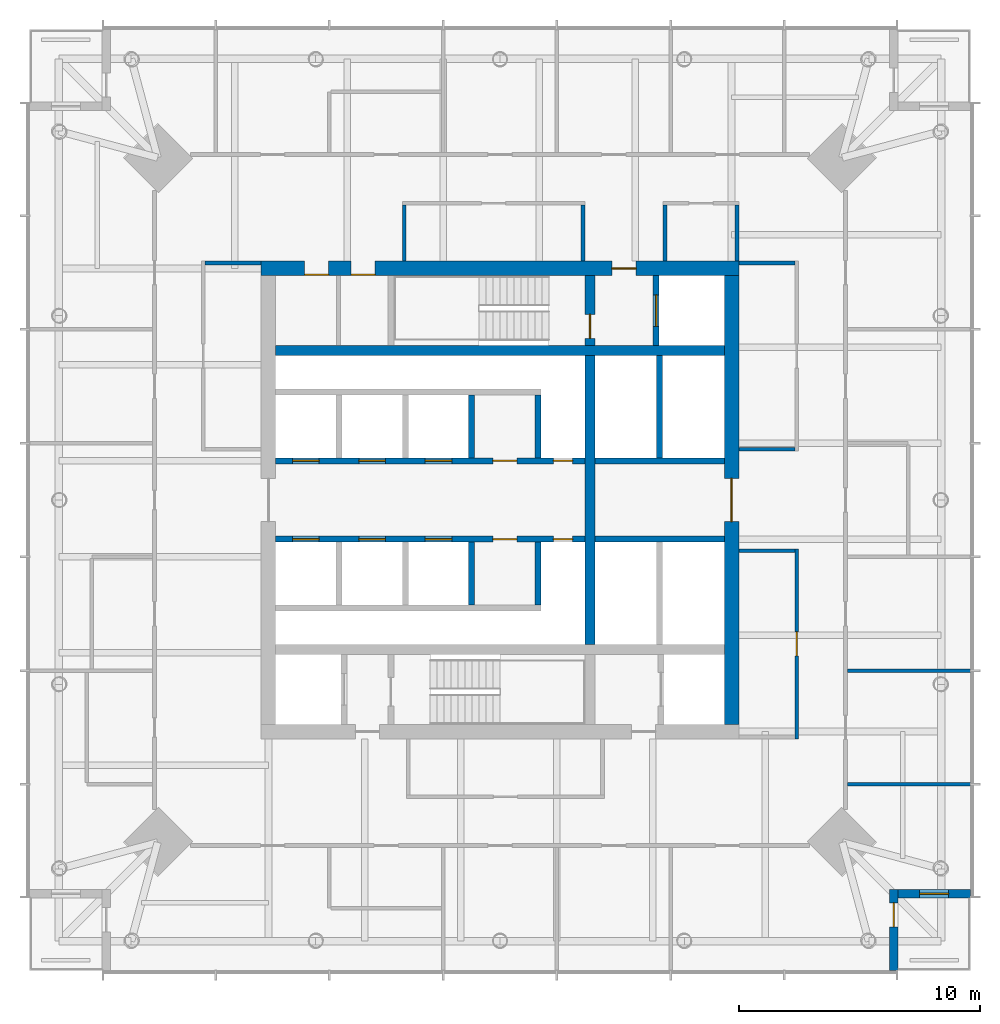
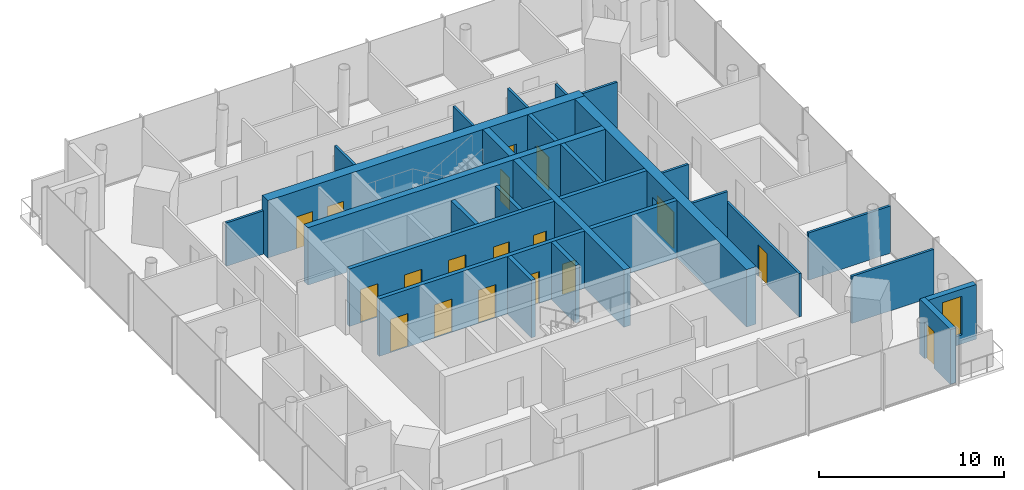
# One storey, part 5 of 7: 28 walls, 18 doors, 1 window, 19 openings.
"""IFC4 building model written with IfcOpenShell, lengths in metres."""

from ifc_helpers import new_model, si_unit, direction, frame, frame_2d, origin, place, context, subcontext, project, spatial, rectangle, extrude, material, layer, layer_set, type_object, element, fill, save


model = new_model("IFC4")

# Units and contexts
model_context = context("Model", 3, precision=1e-05, world=origin(), true_north=direction((0.0, 1.0)))
body_context = subcontext(model_context, "Body", "Model", "MODEL_VIEW")
ifc_project = project(units=[si_unit("LENGTHUNIT", "METRE"), si_unit("AREAUNIT", "SQUARE_METRE"), si_unit("VOLUMEUNIT", "CUBIC_METRE"), si_unit("PLANEANGLEUNIT", "RADIAN"), si_unit("MASSUNIT", "GRAM", prefix="KILO")], contexts=[model_context])

# Site, building, storey
site_placement = place(None, origin())
site = spatial("IfcSite", under=ifc_project, at=site_placement, CompositionType="ELEMENT")
building_placement = place(site_placement, origin())
building = spatial("IfcBuilding", under=site, at=building_placement, Name="Ostroluk Exchange", CompositionType="ELEMENT")
storey_placement = place(building_placement, frame((0.0, 0.0, 199.60009765625)))
storey = spatial("IfcBuildingStorey", under=building, at=storey_placement, Name="L51", CompositionType="ELEMENT", Elevation=199.60009765625)

# Walls
ifc_material_1 = material(Name="Concrete C50/60", Category="concrete")
ifc_layer_1 = layer(ifc_material_1, 0.39990234375)
ifc_layer_set_1 = layer_set([ifc_layer_1], Name="Core cross wall 400 C50/60")
wall_type_1 = type_object("IfcWallType", Name="Core cross wall 400 C50/60", PredefinedType="SHEAR", material=ifc_layer_set_1)
wall_1_placement = place(storey_placement, frame((35.699951171875, 52.199951171875, 0.0), z_axis=(0.0, 0.0, 1.0), x_axis=(1.0, 0.0, 0.0)))
element("IfcWall", 1, at=wall_1_placement, inside=storey, type_object=wall_type_1, Name="T1 core wall XN", PredefinedType="SHEAR", context=body_context, shape_type="SweptSolid", body=[
    extrude(rectangle(XDim=18.60009765625, YDim=0.39990234375, at=frame_2d((9.300048828125, 0.0))), origin(), (0.0, 0.0, 1.0), 3.7998046875),
])
wall_2_placement = place(storey_placement, frame((48.72998046875, 40.0, 0.0), z_axis=(0.0, 0.0, 1.0), x_axis=(0.0, 1.0, 0.0)))
element("IfcWall", 2, at=wall_2_placement, inside=storey, type_object=wall_type_1, Name="T1 core wall YE2", PredefinedType="SHEAR", context=body_context, shape_type="SweptSolid", body=[
    extrude(rectangle(XDim=12.0, YDim=0.39990234375, at=frame_2d((6.0, 0.0))), origin(), (0.0, 0.0, 1.0), 3.7998046875),
])

# Wall, opening, door
wall_3_placement = place(storey_placement, frame((48.72998046875, 52.39990234375, 0.0), z_axis=(0.0, 0.0, 1.0), x_axis=(0.0, 1.0, 0.0)))
wall_3 = element("IfcWall", 3, at=wall_3_placement, inside=storey, type_object=wall_type_1, Name="T1 core wall YE3", PredefinedType="SHEAR", context=body_context, shape_type="SweptSolid", body=[
    extrude(rectangle(XDim=2.900146484375, YDim=0.39990234375, at=frame_2d((1.4501953125, 0.0))), origin(), (0.0, 0.0, 1.0), 3.7998046875),
])
opening_1_placement = place(wall_3_placement, frame((0.300048828125, 0.0, 0.0)))
opening_1 = element("IfcOpeningElement", 4, at=opening_1_placement, cuts=wall_3, Name="Opening FD60", PredefinedType="OPENING", context=body_context, shape_type="SweptSolid", body=[
    extrude(rectangle(XDim=1.0, YDim=2.10009765625, at=frame_2d((0.5, 1.050048828125))), frame((0.0, 0.2099609375, 0.0), z_axis=(0.0, -1.0, 0.0), x_axis=(1.0, 0.0, 0.0)), (0.0, 0.0, 1.0), 0.419921875),
])
ifc_material_2 = material(Name="Steel", Category="steel")
door_type_1 = type_object("IfcDoorType", Name="Fire door EI 60 1000 x 2100", OperationType="SINGLE_SWING_LEFT", PredefinedType="DOOR", material=ifc_material_2)
door_1_placement = place(opening_1_placement, origin())
door_1 = element("IfcDoor", 5, at=door_1_placement, inside=storey, type_object=door_type_1, Name="Stair T1-S2 door", OperationType="SINGLE_SWING_LEFT", OverallHeight=2.10009765625, OverallWidth=1.0, PredefinedType="DOOR", context=body_context, shape_type="SweptSolid", body=[
    extrude(rectangle(XDim=1.0, YDim=2.10009765625, at=frame_2d((0.5, 1.050048828125))), frame((0.0, 0.02490234375, 0.0), z_axis=(0.0, -1.0, 0.0), x_axis=(1.0, 0.0, 0.0)), (0.0, 0.0, 1.0), 0.050048828125),
])
fill(opening_1, door_1)

ifc_material_3 = material(Name="Concrete C40/50", Category="concrete")
ifc_layer_2 = layer(ifc_material_3, 0.25)
ifc_layer_set_2 = layer_set([ifc_layer_2], Name="Core shaft wall 250")
wall_type_2 = type_object("IfcWallType", Name="Core shaft wall 250", PredefinedType="SHEAR", material=ifc_layer_set_2)
wall_4_placement = place(storey_placement, frame((51.47509765625, 52.39990234375, 0.0), z_axis=(0.0, 0.0, 1.0), x_axis=(0.0, 1.0, 0.0)))
wall_4 = element("IfcWall", 6, at=wall_4_placement, inside=storey, type_object=wall_type_2, Name="Firefighting lift shaft wall", PredefinedType="SHEAR", context=body_context, shape_type="SweptSolid", body=[
    extrude(rectangle(XDim=2.900146484375, YDim=0.25, at=frame_2d((1.4501953125, 0.0))), origin(), (0.0, 0.0, 1.0), 3.7998046875),
])
opening_2_placement = place(wall_4_placement, frame((0.800048828125, 0.0, 0.0)))
opening_2 = element("IfcOpeningElement", 7, at=opening_2_placement, cuts=wall_4, Name="Opening LD2", PredefinedType="OPENING", context=body_context, shape_type="SweptSolid", body=[
    extrude(rectangle(XDim=1.300048828125, YDim=2.199951171875, at=frame_2d((0.64990234375, 1.10009765625))), frame((0.0, 0.135009765625, 0.0), z_axis=(0.0, -1.0, 0.0), x_axis=(1.0, 0.0, 0.0)), (0.0, 0.0, 1.0), 0.27001953125),
])
ifc_material_4 = material(Name="Stainless steel", Category="steel")
door_type_2 = type_object("IfcDoorType", Name="Lift landing door E 60 1300 x 2200", OperationType="DOUBLE_DOOR_SLIDING", PredefinedType="DOOR", material=ifc_material_4)
door_2_placement = place(opening_2_placement, origin())
door_2 = element("IfcDoor", 8, at=door_2_placement, inside=storey, type_object=door_type_2, Name="Lift FL2 landing door", OperationType="DOUBLE_DOOR_SLIDING", OverallHeight=2.199951171875, OverallWidth=1.300048828125, PredefinedType="DOOR", context=body_context, shape_type="SweptSolid", body=[
    extrude(rectangle(XDim=1.300048828125, YDim=2.199951171875, at=frame_2d((0.64990234375, 1.10009765625))), frame((0.0, 0.02490234375, 0.0), z_axis=(0.0, -1.0, 0.0), x_axis=(1.0, 0.0, 0.0)), (0.0, 0.0, 1.0), 0.050048828125),
])
fill(opening_2, door_2)

# Walls
for number, where, z_axis, x_axis, name in (
    (9, (43.824951171875, 47.75, 0.0), (0.0, 0.0, 1.0), (0.0, 1.0, 0.0), "Lift shaft wall"),
    (10, (46.574951171875, 47.75, 0.0), (0.0, 0.0, 1.0), (0.0, 1.0, 0.0), "Lift shaft wall"),
):
    element("IfcWall", number, at=place(storey_placement, frame(where, z_axis=z_axis, x_axis=x_axis)), inside=storey, type_object=wall_type_2, Name=name, PredefinedType="SHEAR", context=body_context, shape_type="SweptSolid", body=[
        extrude(rectangle(XDim=2.60009765625, YDim=0.25, at=frame_2d((1.300048828125, 0.0))), origin(), (0.0, 0.0, 1.0), 3.7998046875),
    ])

# Wall, openings, doors
wall_5_placement = place(storey_placement, frame((35.699951171875, 47.625, 0.0), z_axis=(0.0, 0.0, 1.0), x_axis=(1.0, 0.0, 0.0)))
wall_5 = element("IfcWall", 11, at=wall_5_placement, inside=storey, type_object=wall_type_2, Name="Lift shaft front wall", PredefinedType="SHEAR", context=body_context, shape_type="SweptSolid", body=[
    extrude(rectangle(XDim=12.830078125, YDim=0.25, at=frame_2d((6.4150390625, 0.0))), origin(), (0.0, 0.0, 1.0), 3.7998046875),
])
opening_3_placement = place(wall_5_placement, frame((0.699951171875, 0.0, 0.0)))
opening_3 = element("IfcOpeningElement", 12, at=opening_3_placement, cuts=wall_5, Name="Opening LD", PredefinedType="OPENING", context=body_context, shape_type="SweptSolid", body=[
    extrude(rectangle(XDim=1.10009765625, YDim=2.199951171875, at=frame_2d((0.550048828125, 1.10009765625))), frame((0.0, 0.135009765625, 0.0), z_axis=(0.0, -1.0, 0.0), x_axis=(1.0, 0.0, 0.0)), (0.0, 0.0, 1.0), 0.27001953125),
])
opening_4_placement = place(wall_5_placement, frame((3.449951171875, 0.0, 0.0)))
opening_4 = element("IfcOpeningElement", 13, at=opening_4_placement, cuts=wall_5, Name="Opening LD", PredefinedType="OPENING", context=body_context, shape_type="SweptSolid", body=[
    extrude(rectangle(XDim=1.10009765625, YDim=2.199951171875, at=frame_2d((0.550048828125, 1.10009765625))), frame((0.0, 0.135009765625, 0.0), z_axis=(0.0, -1.0, 0.0), x_axis=(1.0, 0.0, 0.0)), (0.0, 0.0, 1.0), 0.27001953125),
])
opening_5_placement = place(wall_5_placement, frame((6.199951171875, 0.0, 0.0)))
opening_5 = element("IfcOpeningElement", 14, at=opening_5_placement, cuts=wall_5, Name="Opening LD", PredefinedType="OPENING", context=body_context, shape_type="SweptSolid", body=[
    extrude(rectangle(XDim=1.10009765625, YDim=2.199951171875, at=frame_2d((0.550048828125, 1.10009765625))), frame((0.0, 0.135009765625, 0.0), z_axis=(0.0, -1.0, 0.0), x_axis=(1.0, 0.0, 0.0)), (0.0, 0.0, 1.0), 0.27001953125),
])
opening_6_placement = place(wall_5_placement, frame((9.0, 0.0, 0.0)))
opening_6 = element("IfcOpeningElement", 15, at=opening_6_placement, cuts=wall_5, Name="Opening FD60", PredefinedType="OPENING", context=body_context, shape_type="SweptSolid", body=[
    extrude(rectangle(XDim=1.0, YDim=2.10009765625, at=frame_2d((0.5, 1.050048828125))), frame((0.0, 0.135009765625, 0.0), z_axis=(0.0, -1.0, 0.0), x_axis=(1.0, 0.0, 0.0)), (0.0, 0.0, 1.0), 0.27001953125),
])
opening_7_placement = place(wall_5_placement, frame((11.514892578125, 0.0, 0.0)))
opening_7 = element("IfcOpeningElement", 16, at=opening_7_placement, cuts=wall_5, Name="Opening RD60", PredefinedType="OPENING", context=body_context, shape_type="SweptSolid", body=[
    extrude(rectangle(XDim=0.800048828125, YDim=2.0, at=frame_2d((0.39990234375, 1.0))), frame((0.0, 0.135009765625, 0.0), z_axis=(0.0, -1.0, 0.0), x_axis=(1.0, 0.0, 0.0)), (0.0, 0.0, 1.0), 0.27001953125),
])
door_3_placement = place(opening_6_placement, origin())
door_3 = element("IfcDoor", 17, at=door_3_placement, inside=storey, type_object=door_type_1, Name="Core room door", OperationType="SINGLE_SWING_RIGHT", OverallHeight=2.10009765625, OverallWidth=1.0, PredefinedType="DOOR", context=body_context, shape_type="SweptSolid", body=[
    extrude(rectangle(XDim=1.0, YDim=2.10009765625, at=frame_2d((0.5, 1.050048828125))), frame((0.0, 0.02490234375, 0.0), z_axis=(0.0, -1.0, 0.0), x_axis=(1.0, 0.0, 0.0)), (0.0, 0.0, 1.0), 0.050048828125),
])
fill(opening_6, door_3)
ifc_material_5 = material(Name="Stainless steel", Category="steel")
door_type_3 = type_object("IfcDoorType", Name="Lift landing door E 60 1100 x 2200", OperationType="DOUBLE_DOOR_SLIDING", PredefinedType="DOOR", material=ifc_material_5)
door_4_placement = place(opening_3_placement, origin())
door_4 = element("IfcDoor", 18, at=door_4_placement, inside=storey, type_object=door_type_3, Name="Lift PL-H1 landing door", OperationType="DOUBLE_DOOR_SLIDING", OverallHeight=2.199951171875, OverallWidth=1.10009765625, PredefinedType="DOOR", context=body_context, shape_type="SweptSolid", body=[
    extrude(rectangle(XDim=1.10009765625, YDim=2.199951171875, at=frame_2d((0.550048828125, 1.10009765625))), frame((0.0, 0.02490234375, 0.0), z_axis=(0.0, -1.0, 0.0), x_axis=(1.0, 0.0, 0.0)), (0.0, 0.0, 1.0), 0.050048828125),
])
fill(opening_3, door_4)
door_5_placement = place(opening_4_placement, origin())
door_5 = element("IfcDoor", 19, at=door_5_placement, inside=storey, type_object=door_type_3, Name="Lift PL-H2 landing door", OperationType="DOUBLE_DOOR_SLIDING", OverallHeight=2.199951171875, OverallWidth=1.10009765625, PredefinedType="DOOR", context=body_context, shape_type="SweptSolid", body=[
    extrude(rectangle(XDim=1.10009765625, YDim=2.199951171875, at=frame_2d((0.550048828125, 1.10009765625))), frame((0.0, 0.02490234375, 0.0), z_axis=(0.0, -1.0, 0.0), x_axis=(1.0, 0.0, 0.0)), (0.0, 0.0, 1.0), 0.050048828125),
])
fill(opening_4, door_5)
door_6_placement = place(opening_5_placement, origin())
door_6 = element("IfcDoor", 20, at=door_6_placement, inside=storey, type_object=door_type_3, Name="Lift PL-H3 landing door", OperationType="DOUBLE_DOOR_SLIDING", OverallHeight=2.199951171875, OverallWidth=1.10009765625, PredefinedType="DOOR", context=body_context, shape_type="SweptSolid", body=[
    extrude(rectangle(XDim=1.10009765625, YDim=2.199951171875, at=frame_2d((0.550048828125, 1.10009765625))), frame((0.0, 0.02490234375, 0.0), z_axis=(0.0, -1.0, 0.0), x_axis=(1.0, 0.0, 0.0)), (0.0, 0.0, 1.0), 0.050048828125),
])
fill(opening_5, door_6)
ifc_material_6 = material(Name="Steel", Category="steel")
door_type_4 = type_object("IfcDoorType", Name="Riser access door EI 60 800 x 2000", OperationType="SINGLE_SWING_LEFT", PredefinedType="DOOR", material=ifc_material_6)
door_7_placement = place(opening_7_placement, origin())
door_7 = element("IfcDoor", 21, at=door_7_placement, inside=storey, type_object=door_type_4, Name="Riser access door", OperationType="SINGLE_SWING_RIGHT", OverallHeight=2.0, OverallWidth=0.800048828125, PredefinedType="DOOR", context=body_context, shape_type="SweptSolid", body=[
    extrude(rectangle(XDim=0.800048828125, YDim=2.0, at=frame_2d((0.39990234375, 1.0))), frame((0.0, 0.02490234375, 0.0), z_axis=(0.0, -1.0, 0.0), x_axis=(1.0, 0.0, 0.0)), (0.0, 0.0, 1.0), 0.050048828125),
])
fill(opening_7, door_7)

# Walls
for number, where, z_axis, x_axis, name in (
    (22, (43.824951171875, 44.25, 0.0), (0.0, 0.0, 1.0), (0.0, -1.0, 0.0), "Lift shaft wall"),
    (23, (46.574951171875, 44.25, 0.0), (0.0, 0.0, 1.0), (0.0, -1.0, 0.0), "Lift shaft wall"),
):
    element("IfcWall", number, at=place(storey_placement, frame(where, z_axis=z_axis, x_axis=x_axis)), inside=storey, type_object=wall_type_2, Name=name, PredefinedType="SHEAR", context=body_context, shape_type="SweptSolid", body=[
        extrude(rectangle(XDim=2.60009765625, YDim=0.25, at=frame_2d((1.300048828125, 0.0))), origin(), (0.0, 0.0, 1.0), 3.7998046875),
    ])

# Wall, openings, doors
wall_6_placement = place(storey_placement, frame((35.699951171875, 44.375, 0.0), z_axis=(0.0, 0.0, 1.0), x_axis=(1.0, 0.0, 0.0)))
wall_6 = element("IfcWall", 24, at=wall_6_placement, inside=storey, type_object=wall_type_2, Name="Lift shaft front wall", PredefinedType="SHEAR", context=body_context, shape_type="SweptSolid", body=[
    extrude(rectangle(XDim=12.830078125, YDim=0.25, at=frame_2d((6.4150390625, 0.0))), origin(), (0.0, 0.0, 1.0), 3.7998046875),
])
opening_8_placement = place(wall_6_placement, frame((0.699951171875, 0.0, 0.0)))
opening_8 = element("IfcOpeningElement", 25, at=opening_8_placement, cuts=wall_6, Name="Opening LD", PredefinedType="OPENING", context=body_context, shape_type="SweptSolid", body=[
    extrude(rectangle(XDim=1.10009765625, YDim=2.199951171875, at=frame_2d((0.550048828125, 1.10009765625))), frame((0.0, 0.135009765625, 0.0), z_axis=(0.0, -1.0, 0.0), x_axis=(1.0, 0.0, 0.0)), (0.0, 0.0, 1.0), 0.27001953125),
])
opening_9_placement = place(wall_6_placement, frame((3.449951171875, 0.0, 0.0)))
opening_9 = element("IfcOpeningElement", 26, at=opening_9_placement, cuts=wall_6, Name="Opening LD", PredefinedType="OPENING", context=body_context, shape_type="SweptSolid", body=[
    extrude(rectangle(XDim=1.10009765625, YDim=2.199951171875, at=frame_2d((0.550048828125, 1.10009765625))), frame((0.0, 0.135009765625, 0.0), z_axis=(0.0, -1.0, 0.0), x_axis=(1.0, 0.0, 0.0)), (0.0, 0.0, 1.0), 0.27001953125),
])
opening_10_placement = place(wall_6_placement, frame((6.199951171875, 0.0, 0.0)))
opening_10 = element("IfcOpeningElement", 27, at=opening_10_placement, cuts=wall_6, Name="Opening LD", PredefinedType="OPENING", context=body_context, shape_type="SweptSolid", body=[
    extrude(rectangle(XDim=1.10009765625, YDim=2.199951171875, at=frame_2d((0.550048828125, 1.10009765625))), frame((0.0, 0.135009765625, 0.0), z_axis=(0.0, -1.0, 0.0), x_axis=(1.0, 0.0, 0.0)), (0.0, 0.0, 1.0), 0.27001953125),
])
opening_11_placement = place(wall_6_placement, frame((9.0, 0.0, 0.0)))
opening_11 = element("IfcOpeningElement", 28, at=opening_11_placement, cuts=wall_6, Name="Opening FD60", PredefinedType="OPENING", context=body_context, shape_type="SweptSolid", body=[
    extrude(rectangle(XDim=1.0, YDim=2.10009765625, at=frame_2d((0.5, 1.050048828125))), frame((0.0, 0.135009765625, 0.0), z_axis=(0.0, -1.0, 0.0), x_axis=(1.0, 0.0, 0.0)), (0.0, 0.0, 1.0), 0.27001953125),
])
opening_12_placement = place(wall_6_placement, frame((11.514892578125, 0.0, 0.0)))
opening_12 = element("IfcOpeningElement", 29, at=opening_12_placement, cuts=wall_6, Name="Opening RD60", PredefinedType="OPENING", context=body_context, shape_type="SweptSolid", body=[
    extrude(rectangle(XDim=0.800048828125, YDim=2.0, at=frame_2d((0.39990234375, 1.0))), frame((0.0, 0.135009765625, 0.0), z_axis=(0.0, -1.0, 0.0), x_axis=(1.0, 0.0, 0.0)), (0.0, 0.0, 1.0), 0.27001953125),
])
door_8_placement = place(opening_11_placement, origin())
door_8 = element("IfcDoor", 30, at=door_8_placement, inside=storey, type_object=door_type_1, Name="Core room door", OperationType="SINGLE_SWING_RIGHT", OverallHeight=2.10009765625, OverallWidth=1.0, PredefinedType="DOOR", context=body_context, shape_type="SweptSolid", body=[
    extrude(rectangle(XDim=1.0, YDim=2.10009765625, at=frame_2d((0.5, 1.050048828125))), frame((0.0, 0.02490234375, 0.0), z_axis=(0.0, -1.0, 0.0), x_axis=(1.0, 0.0, 0.0)), (0.0, 0.0, 1.0), 0.050048828125),
])
fill(opening_11, door_8)
door_9_placement = place(opening_8_placement, origin())
door_9 = element("IfcDoor", 31, at=door_9_placement, inside=storey, type_object=door_type_3, Name="Lift PL-H4 landing door", OperationType="DOUBLE_DOOR_SLIDING", OverallHeight=2.199951171875, OverallWidth=1.10009765625, PredefinedType="DOOR", context=body_context, shape_type="SweptSolid", body=[
    extrude(rectangle(XDim=1.10009765625, YDim=2.199951171875, at=frame_2d((0.550048828125, 1.10009765625))), frame((0.0, 0.02490234375, 0.0), z_axis=(0.0, -1.0, 0.0), x_axis=(1.0, 0.0, 0.0)), (0.0, 0.0, 1.0), 0.050048828125),
])
fill(opening_8, door_9)
door_10_placement = place(opening_9_placement, origin())
door_10 = element("IfcDoor", 32, at=door_10_placement, inside=storey, type_object=door_type_3, Name="Lift PL-H5 landing door", OperationType="DOUBLE_DOOR_SLIDING", OverallHeight=2.199951171875, OverallWidth=1.10009765625, PredefinedType="DOOR", context=body_context, shape_type="SweptSolid", body=[
    extrude(rectangle(XDim=1.10009765625, YDim=2.199951171875, at=frame_2d((0.550048828125, 1.10009765625))), frame((0.0, 0.02490234375, 0.0), z_axis=(0.0, -1.0, 0.0), x_axis=(1.0, 0.0, 0.0)), (0.0, 0.0, 1.0), 0.050048828125),
])
fill(opening_9, door_10)
door_11_placement = place(opening_10_placement, origin())
door_11 = element("IfcDoor", 33, at=door_11_placement, inside=storey, type_object=door_type_3, Name="Lift PL-H6 landing door", OperationType="DOUBLE_DOOR_SLIDING", OverallHeight=2.199951171875, OverallWidth=1.10009765625, PredefinedType="DOOR", context=body_context, shape_type="SweptSolid", body=[
    extrude(rectangle(XDim=1.10009765625, YDim=2.199951171875, at=frame_2d((0.550048828125, 1.10009765625))), frame((0.0, 0.02490234375, 0.0), z_axis=(0.0, -1.0, 0.0), x_axis=(1.0, 0.0, 0.0)), (0.0, 0.0, 1.0), 0.050048828125),
])
fill(opening_10, door_11)
door_12_placement = place(opening_12_placement, origin())
door_12 = element("IfcDoor", 34, at=door_12_placement, inside=storey, type_object=door_type_4, Name="Riser access door", OperationType="SINGLE_SWING_RIGHT", OverallHeight=2.0, OverallWidth=0.800048828125, PredefinedType="DOOR", context=body_context, shape_type="SweptSolid", body=[
    extrude(rectangle(XDim=0.800048828125, YDim=2.0, at=frame_2d((0.39990234375, 1.0))), frame((0.0, 0.02490234375, 0.0), z_axis=(0.0, -1.0, 0.0), x_axis=(1.0, 0.0, 0.0)), (0.0, 0.0, 1.0), 0.050048828125),
])
fill(opening_12, door_12)

# Walls
wall_7_placement = place(storey_placement, frame((51.614990234375, 47.75, 0.0), z_axis=(0.0, 0.0, 1.0), x_axis=(0.0, 1.0, 0.0)))
element("IfcWall", 35, at=wall_7_placement, inside=storey, type_object=wall_type_2, Name="Lift shaft wall", PredefinedType="SHEAR", context=body_context, shape_type="SweptSolid", body=[
    extrude(rectangle(XDim=4.25, YDim=0.25, at=frame_2d((2.125, 0.0))), origin(), (0.0, 0.0, 1.0), 3.7998046875),
])
for number, where, z_axis, x_axis, name in (
    (36, (48.929931640625, 47.625, 0.0), (0.0, 0.0, 1.0), (1.0, 0.0, 0.0), "Lift shaft front wall"),
    (37, (48.929931640625, 44.375, 0.0), (0.0, 0.0, 1.0), (1.0, 0.0, 0.0), "Lift shaft front wall"),
):
    element("IfcWall", number, at=place(storey_placement, frame(where, z_axis=z_axis, x_axis=x_axis)), inside=storey, type_object=wall_type_2, Name=name, PredefinedType="SHEAR", context=body_context, shape_type="SweptSolid", body=[
        extrude(rectangle(XDim=5.3701171875, YDim=0.25, at=frame_2d((2.68505859375, 0.0))), origin(), (0.0, 0.0, 1.0), 3.7998046875),
    ])

# Wall, openings, doors
ifc_material_7 = material(Name="Concrete C50/60", Category="concrete")
ifc_layer_3 = layer(ifc_material_7, 0.60009765625)
ifc_layer_set_3 = layer_set([ifc_layer_3], Name="Core wall 600 C50/60")
wall_type_3 = type_object("IfcWallType", Name="Core wall 600 C50/60", PredefinedType="SHEAR", material=ifc_layer_set_3)
wall_8_placement = place(storey_placement, frame((35.10009765625, 55.60009765625, 0.0), z_axis=(0.0, 0.0, 1.0), x_axis=(1.0, 0.0, 0.0)))
wall_8 = element("IfcWall", 38, at=wall_8_placement, inside=storey, type_object=wall_type_3, Name="T1 core wall N", PredefinedType="SHEAR", context=body_context, shape_type="SweptSolid", body=[
    extrude(rectangle(XDim=19.7998046875, YDim=0.60009765625, at=frame_2d((9.89990234375, 0.0))), origin(), (0.0, 0.0, 1.0), 3.7998046875),
])
opening_13_placement = place(wall_8_placement, frame((14.5400390625, 0.0, 0.0)))
opening_13 = element("IfcOpeningElement", 39, at=opening_13_placement, cuts=wall_8, Name="Opening FD60", PredefinedType="OPENING", context=body_context, shape_type="SweptSolid", body=[
    extrude(rectangle(XDim=1.0, YDim=2.10009765625, at=frame_2d((0.5, 1.050048828125))), frame((0.0, 0.31005859375, 0.0), z_axis=(0.0, -1.0, 0.0), x_axis=(1.0, 0.0, 0.0)), (0.0, 0.0, 1.0), 0.6201171875),
])
opening_14_placement = place(wall_8_placement, frame((1.800048828125, 0.0, 0.0)))
opening_14 = element("IfcOpeningElement", 40, at=opening_14_placement, cuts=wall_8, Name="Opening FD60", PredefinedType="OPENING", context=body_context, shape_type="SweptSolid", body=[
    extrude(rectangle(XDim=1.0, YDim=2.10009765625, at=frame_2d((0.5, 1.050048828125))), frame((0.0, 0.31005859375, 0.0), z_axis=(0.0, -1.0, 0.0), x_axis=(1.0, 0.0, 0.0)), (0.0, 0.0, 1.0), 0.6201171875),
])
opening_15_placement = place(wall_8_placement, frame((3.72705078125, 0.0, 0.0)))
opening_15 = element("IfcOpeningElement", 41, at=opening_15_placement, cuts=wall_8, Name="Opening FD60", PredefinedType="OPENING", context=body_context, shape_type="SweptSolid", body=[
    extrude(rectangle(XDim=1.0, YDim=2.10009765625, at=frame_2d((0.5, 1.050048828125))), frame((0.0, 0.31005859375, 0.0), z_axis=(0.0, -1.0, 0.0), x_axis=(1.0, 0.0, 0.0)), (0.0, 0.0, 1.0), 0.6201171875),
])
door_13_placement = place(opening_13_placement, origin())
door_13 = element("IfcDoor", 42, at=door_13_placement, inside=storey, type_object=door_type_1, Name="Firefighting lobby door", OperationType="SINGLE_SWING_RIGHT", OverallHeight=2.10009765625, OverallWidth=1.0, PredefinedType="DOOR", context=body_context, shape_type="SweptSolid", body=[
    extrude(rectangle(XDim=1.0, YDim=2.10009765625, at=frame_2d((0.5, 1.050048828125))), frame((0.0, 0.02490234375, 0.0), z_axis=(0.0, -1.0, 0.0), x_axis=(1.0, 0.0, 0.0)), (0.0, 0.0, 1.0), 0.050048828125),
])
fill(opening_13, door_13)
door_14_placement = place(opening_14_placement, origin())
door_14 = element("IfcDoor", 43, at=door_14_placement, inside=storey, type_object=door_type_1, Name="Tea point door", OperationType="SINGLE_SWING_LEFT", OverallHeight=2.10009765625, OverallWidth=1.0, PredefinedType="DOOR", context=body_context, shape_type="SweptSolid", body=[
    extrude(rectangle(XDim=1.0, YDim=2.10009765625, at=frame_2d((0.5, 1.050048828125))), frame((0.0, -0.23974609375, 0.0), z_axis=(0.0, -1.0, 0.0), x_axis=(1.0, 0.0, 0.0)), (0.0, 0.0, 1.0), 0.050048828125),
])
fill(opening_14, door_14)
door_15_placement = place(opening_15_placement, origin())
door_15 = element("IfcDoor", 44, at=door_15_placement, inside=storey, type_object=door_type_1, Name="Cleaner's store door", OperationType="SINGLE_SWING_LEFT", OverallHeight=2.10009765625, OverallWidth=1.0, PredefinedType="DOOR", context=body_context, shape_type="SweptSolid", body=[
    extrude(rectangle(XDim=1.0, YDim=2.10009765625, at=frame_2d((0.5, 1.050048828125))), frame((0.0, -0.23974609375, 0.0), z_axis=(0.0, -1.0, 0.0), x_axis=(1.0, 0.0, 0.0)), (0.0, 0.0, 1.0), 0.050048828125),
])
fill(opening_15, door_15)

# Wall, opening, door
wall_9_placement = place(storey_placement, frame((54.60009765625, 36.699951171875, 0.0), z_axis=(0.0, 0.0, 1.0), x_axis=(0.0, 1.0, 0.0)))
wall_9 = element("IfcWall", 45, at=wall_9_placement, inside=storey, type_object=wall_type_3, Name="T1 core wall E", PredefinedType="SHEAR", context=body_context, shape_type="SweptSolid", body=[
    extrude(rectangle(XDim=18.60009765625, YDim=0.60009765625, at=frame_2d((9.300048828125, 0.0))), origin(), (0.0, 0.0, 1.0), 3.7998046875),
])
opening_16_placement = place(wall_9_placement, frame((8.39990234375, 0.0, 0.0)))
opening_16 = element("IfcOpeningElement", 46, at=opening_16_placement, cuts=wall_9, Name="Opening FD30D", PredefinedType="OPENING", context=body_context, shape_type="SweptSolid", body=[
    extrude(rectangle(XDim=1.800048828125, YDim=2.39990234375, at=frame_2d((0.89990234375, 1.199951171875))), frame((0.0, 0.31005859375, 0.0), z_axis=(0.0, -1.0, 0.0), x_axis=(1.0, 0.0, 0.0)), (0.0, 0.0, 1.0), 0.6201171875),
])
ifc_material_8 = material(Name="Timber", Category="wood")
door_type_5 = type_object("IfcDoorType", Name="Lobby double door EI 30 1800 x 2400", OperationType="DOUBLE_DOOR_SINGLE_SWING", PredefinedType="DOOR", material=ifc_material_8)
door_16_placement = place(opening_16_placement, origin())
door_16 = element("IfcDoor", 47, at=door_16_placement, inside=storey, type_object=door_type_5, Name="Lift lobby doors", OperationType="DOUBLE_DOOR_SINGLE_SWING", OverallHeight=2.39990234375, OverallWidth=1.800048828125, PredefinedType="DOOR", context=body_context, shape_type="SweptSolid", body=[
    extrude(rectangle(XDim=1.800048828125, YDim=2.39990234375, at=frame_2d((0.89990234375, 1.199951171875))), frame((0.0, 0.02490234375, 0.0), z_axis=(0.0, -1.0, 0.0), x_axis=(1.0, 0.0, 0.0)), (0.0, 0.0, 1.0), 0.050048828125),
])
fill(opening_16, door_16)

ifc_material_9 = material(Name="Limestone", Category="masonry")
ifc_layer_4 = layer(ifc_material_9, 0.35009765625)
ifc_layer_set_4 = layer_set([ifc_layer_4], Name="Limestone facade wall 350")
wall_type_4 = type_object("IfcWallType", Name="Limestone facade wall 350", PredefinedType="SOLIDWALL", material=ifc_layer_set_4)
wall_10_placement = place(storey_placement, frame((61.324951171875, 26.5, 0.0), z_axis=(0.0, 0.0, 1.0), x_axis=(0.0, 1.0, 0.0)))
wall_10 = element("IfcWall", 48, at=wall_10_placement, inside=storey, type_object=wall_type_4, Name="Office tower SE corner wall L51 a", PredefinedType="SOLIDWALL", context=body_context, shape_type="SweptSolid", body=[
    extrude(rectangle(XDim=3.35009765625, YDim=0.35009765625, at=frame_2d((1.675048828125, 0.0))), origin(), (0.0, 0.0, 1.0), 3.619873046875),
])
opening_17_placement = place(wall_10_placement, frame((1.800048828125, 0.0, 0.0)))
opening_17 = element("IfcOpeningElement", 49, at=opening_17_placement, cuts=wall_10, Name="Opening D-B1", PredefinedType="OPENING", context=body_context, shape_type="SweptSolid", body=[
    extrude(rectangle(XDim=1.0, YDim=2.39990234375, at=frame_2d((0.5, 1.199951171875))), frame((0.0, 0.18505859375, 0.0), z_axis=(0.0, -1.0, 0.0), x_axis=(1.0, 0.0, 0.0)), (0.0, 0.0, 1.0), 0.3701171875),
])
ifc_material_10 = material(Name="Bronze framed glazed door", Category="aluminium")
door_type_6 = type_object("IfcDoorType", Name="Balcony door 1000 x 2400", OperationType="SINGLE_SWING_LEFT", PredefinedType="DOOR", material=ifc_material_10)
door_17_placement = place(opening_17_placement, origin())
door_17 = element("IfcDoor", 50, at=door_17_placement, inside=storey, type_object=door_type_6, Name="Office tower SE balcony door L51", OperationType="SINGLE_SWING_RIGHT", OverallHeight=2.39990234375, OverallWidth=1.0, PredefinedType="DOOR", context=body_context, shape_type="SweptSolid", body=[
    extrude(rectangle(XDim=1.0, YDim=2.39990234375, at=frame_2d((0.5, 1.199951171875))), frame((0.0, 0.02490234375, 0.0), z_axis=(0.0, -1.0, 0.0), x_axis=(1.0, 0.0, 0.0)), (0.0, 0.0, 1.0), 0.050048828125),
])
fill(opening_17, door_17)

# Wall, opening, window
wall_11_placement = place(storey_placement, frame((61.5, 29.675048828125, 0.0), z_axis=(0.0, 0.0, 1.0), x_axis=(1.0, 0.0, 0.0)))
wall_11 = element("IfcWall", 51, at=wall_11_placement, inside=storey, type_object=wall_type_4, Name="Office tower SE corner wall L51 b", PredefinedType="SOLIDWALL", context=body_context, shape_type="SweptSolid", body=[
    extrude(rectangle(XDim=3.0, YDim=0.35009765625, at=frame_2d((1.5, 0.0))), origin(), (0.0, 0.0, 1.0), 3.619873046875),
])
opening_18_placement = place(wall_11_placement, frame((0.89990234375, 0.0, 0.60009765625)))
opening_18 = element("IfcOpeningElement", 52, at=opening_18_placement, cuts=wall_11, Name="Opening WN-L1", PredefinedType="OPENING", context=body_context, shape_type="SweptSolid", body=[
    extrude(rectangle(XDim=1.199951171875, YDim=2.550048828125, at=frame_2d((0.60009765625, 1.27490234375))), frame((0.0, 0.18505859375, 0.0), z_axis=(0.0, -1.0, 0.0), x_axis=(1.0, 0.0, 0.0)), (0.0, 0.0, 1.0), 0.3701171875),
])
ifc_material_11 = material(Name="Laminated clear glass", Category="glass")
window_type = type_object("IfcWindowType", Name="Lancet window 1200 x 2550", PartitioningType="SINGLE_PANEL", PredefinedType="WINDOW", material=ifc_material_11)
window_placement = place(opening_18_placement, origin())
window = element("IfcWindow", 53, at=window_placement, inside=storey, type_object=window_type, Name="Office tower SE lancet window L51", OverallHeight=2.550048828125, OverallWidth=1.199951171875, PartitioningType="SINGLE_PANEL", PredefinedType="WINDOW", context=body_context, shape_type="SweptSolid", body=[
    extrude(rectangle(XDim=1.199951171875, YDim=2.550048828125, at=frame_2d((0.60009765625, 1.27490234375))), frame((0.0, 0.030029296875, 0.0), z_axis=(0.0, -1.0, 0.0), x_axis=(1.0, 0.0, 0.0)), (0.0, 0.0, 1.0), 0.06005859375),
])
fill(opening_18, window)

# Wall, opening, door
ifc_material_12 = material(Name="Gypsum plasterboard partition", Category="gypsum")
ifc_layer_5 = layer(ifc_material_12, 0.14990234375)
ifc_layer_set_5 = layer_set([ifc_layer_5], Name="Plasterboard partition 150")
wall_type_5 = type_object("IfcWallType", Name="Plasterboard partition 150", PredefinedType="PARTITIONING", material=ifc_layer_set_5)
wall_12_placement = place(storey_placement, frame((57.300048828125, 36.10009765625, 0.0), z_axis=(0.0, 0.0, 1.0), x_axis=(0.0, 1.0, 0.0)))
wall_12 = element("IfcWall", 54, at=wall_12_placement, inside=storey, type_object=wall_type_5, Name="Partition", PredefinedType="PARTITIONING", context=body_context, shape_type="SweptSolid", body=[
    extrude(rectangle(XDim=7.875, YDim=0.14990234375, at=frame_2d((3.9375, 0.0))), origin(), (0.0, 0.0, 1.0), 2.866943359375),
])
opening_19_placement = place(wall_12_placement, frame((3.4375, 0.0, 0.0)))
opening_19 = element("IfcOpeningElement", 55, at=opening_19_placement, cuts=wall_12, Name="Opening D-03", PredefinedType="OPENING", context=body_context, shape_type="SweptSolid", body=[
    extrude(rectangle(XDim=1.0, YDim=2.10009765625, at=frame_2d((0.5, 1.050048828125))), frame((0.0, 0.0849609375, 0.0), z_axis=(0.0, -1.0, 0.0), x_axis=(1.0, 0.0, 0.0)), (0.0, 0.0, 1.0), 0.169921875),
])
ifc_material_13 = material(Name="Timber", Category="wood")
door_type_7 = type_object("IfcDoorType", Name="Internal door 1000 x 2100", OperationType="SINGLE_SWING_LEFT", PredefinedType="DOOR", material=ifc_material_13)
door_18_placement = place(opening_19_placement, origin())
door_18 = element("IfcDoor", 56, at=door_18_placement, inside=storey, type_object=door_type_7, Name="Staff room door", OperationType="SINGLE_SWING_LEFT", OverallHeight=2.10009765625, OverallWidth=1.0, PredefinedType="DOOR", context=body_context, shape_type="SweptSolid", body=[
    extrude(rectangle(XDim=1.0, YDim=2.10009765625, at=frame_2d((0.5, 1.050048828125))), frame((0.0, 0.02490234375, 0.0), z_axis=(0.0, -1.0, 0.0), x_axis=(1.0, 0.0, 0.0)), (0.0, 0.0, 1.0), 0.050048828125),
])
fill(opening_19, door_18)

# Walls
wall_13_placement = place(storey_placement, frame((54.89990234375, 43.89990234375, 0.0), z_axis=(0.0, 0.0, 1.0), x_axis=(1.0, 0.0, 0.0)))
element("IfcWall", 57, at=wall_13_placement, inside=storey, type_object=wall_type_5, Name="Partition", PredefinedType="PARTITIONING", context=body_context, shape_type="SweptSolid", body=[
    extrude(rectangle(XDim=2.3251953125, YDim=0.14990234375, at=frame_2d((1.16259765625, 0.0))), origin(), (0.0, 0.0, 1.0), 3.619873046875),
])
wall_14_placement = place(storey_placement, frame((54.89990234375, 48.10009765625, 0.0), z_axis=(0.0, 0.0, 1.0), x_axis=(1.0, 0.0, 0.0)))
element("IfcWall", 58, at=wall_14_placement, inside=storey, type_object=wall_type_5, Name="Partition", PredefinedType="PARTITIONING", context=body_context, shape_type="SweptSolid", body=[
    extrude(rectangle(XDim=2.3251953125, YDim=0.14990234375, at=frame_2d((1.16259765625, 0.0))), origin(), (0.0, 0.0, 1.0), 2.866943359375),
])
wall_15_placement = place(storey_placement, frame((54.89990234375, 55.824951171875, 0.0), z_axis=(0.0, 0.0, 1.0), x_axis=(1.0, 0.0, 0.0)))
element("IfcWall", 59, at=wall_15_placement, inside=storey, type_object=wall_type_5, Name="Partition", PredefinedType="PARTITIONING", context=body_context, shape_type="SweptSolid", body=[
    extrude(rectangle(XDim=2.3251953125, YDim=0.14990234375, at=frame_2d((1.16259765625, 0.0))), origin(), (0.0, 0.0, 1.0), 3.619873046875),
])
wall_16_placement = place(storey_placement, frame((54.824951171875, 55.89990234375, 0.0), z_axis=(0.0, 0.0, 1.0), x_axis=(0.0, 1.0, 0.0)))
element("IfcWall", 60, at=wall_16_placement, inside=storey, type_object=wall_type_5, Name="Partition", PredefinedType="PARTITIONING", context=body_context, shape_type="SweptSolid", body=[
    extrude(rectangle(XDim=2.3251953125, YDim=0.14990234375, at=frame_2d((1.16259765625, 0.0))), origin(), (0.0, 0.0, 1.0), 2.866943359375),
])
for number, where, z_axis, x_axis, name in (
    (61, (51.840087890625, 55.89990234375, 0.0), (0.0, 0.0, 1.0), (0.0, 1.0, 0.0), "Partition"),
    (62, (48.43994140625, 55.89990234375, 0.0), (0.0, 0.0, 1.0), (0.0, 1.0, 0.0), "Partition"),
    (63, (41.027099609375, 55.89990234375, 0.0), (0.0, 0.0, 1.0), (0.0, 1.0, 0.0), "Partition"),
):
    element("IfcWall", number, at=place(storey_placement, frame(where, z_axis=z_axis, x_axis=x_axis)), inside=storey, type_object=wall_type_5, Name=name, PredefinedType="PARTITIONING", context=body_context, shape_type="SweptSolid", body=[
        extrude(rectangle(XDim=2.3251953125, YDim=0.14990234375, at=frame_2d((1.16259765625, 0.0))), origin(), (0.0, 0.0, 1.0), 3.619873046875),
    ])
wall_17_placement = place(storey_placement, frame((35.10009765625, 55.824951171875, 0.0), z_axis=(0.0, 0.0, 1.0), x_axis=(-1.0, 0.0, 0.0)))
element("IfcWall", 64, at=wall_17_placement, inside=storey, type_object=wall_type_5, Name="Partition", PredefinedType="PARTITIONING", context=body_context, shape_type="SweptSolid", body=[
    extrude(rectangle(XDim=2.3251953125, YDim=0.14990234375, at=frame_2d((1.16259765625, 0.0))), origin(), (0.0, 0.0, 1.0), 2.866943359375),
])
for number, where, z_axis, x_axis, name in (
    (65, (59.39990234375, 34.21435546875, 0.0), (0.0, 0.0, 1.0), (1.0, 0.0, 0.0), "Partition"),
    (66, (59.39990234375, 38.928466796875, 0.0), (0.0, 0.0, 1.0), (1.0, 0.0, 0.0), "Partition"),
):
    element("IfcWall", number, at=place(storey_placement, frame(where, z_axis=z_axis, x_axis=x_axis)), inside=storey, type_object=wall_type_5, Name=name, PredefinedType="PARTITIONING", context=body_context, shape_type="SweptSolid", body=[
        extrude(rectangle(XDim=5.14013671875, YDim=0.14990234375, at=frame_2d((2.570068359375, 0.0))), origin(), (0.0, 0.0, 1.0), 3.119873046875),
    ])

save(model, "model.ifc")
